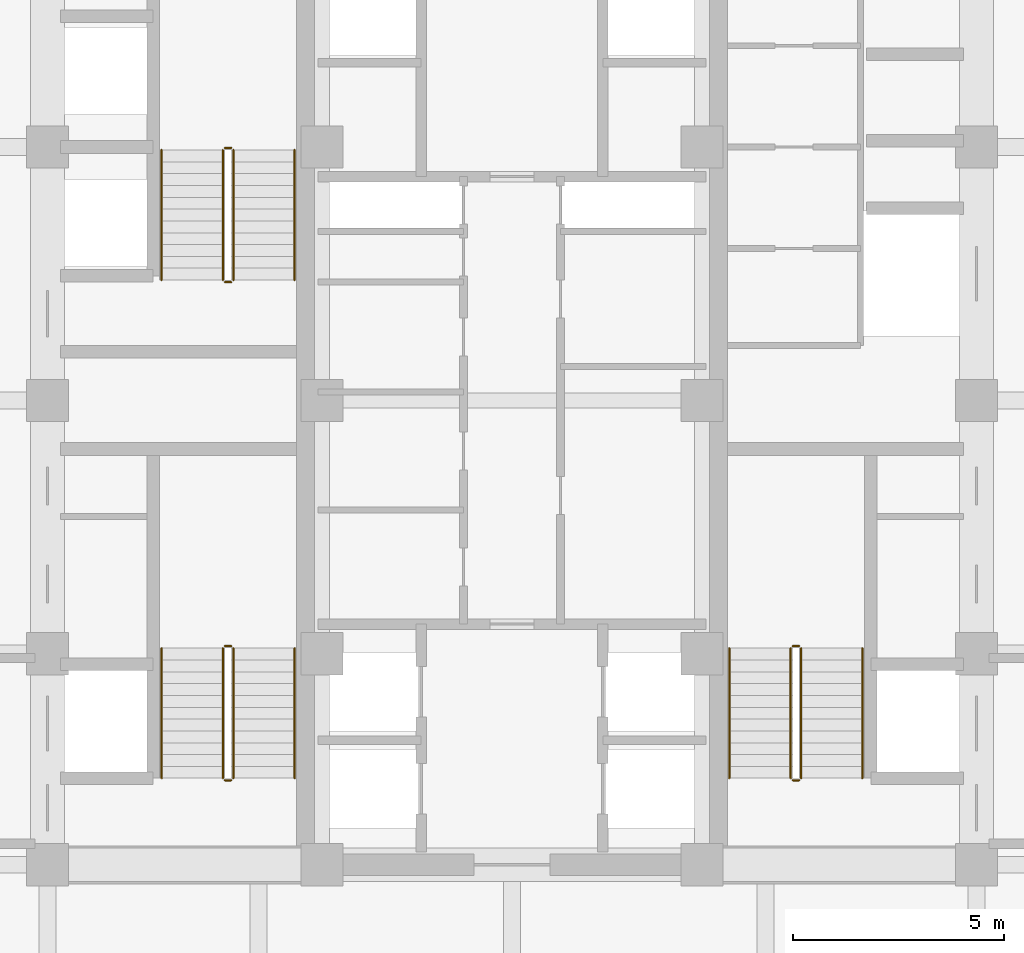
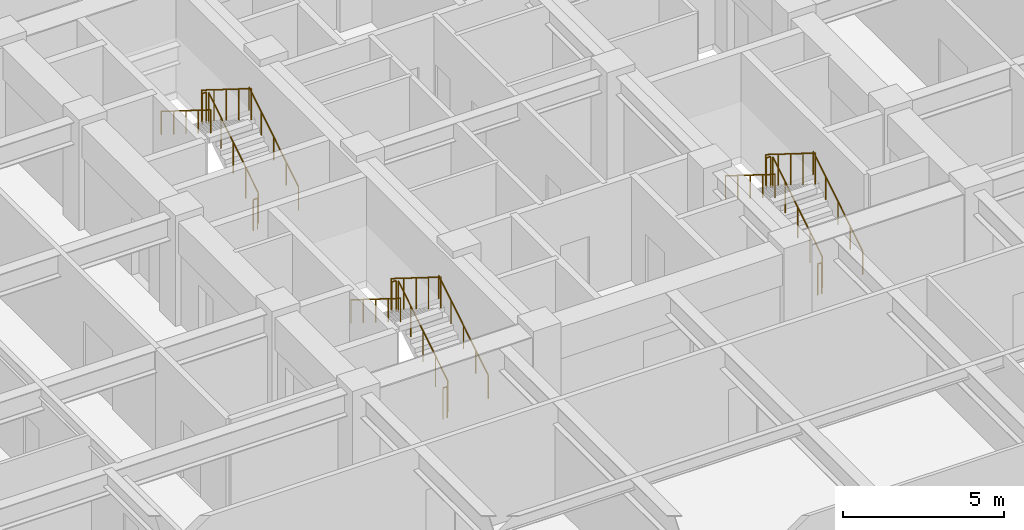
# One storey, part 28 of 28: 18 railings.
"""IFC4 building model written with IfcOpenShell, lengths in metres."""

from ifc_helpers import new_model, si_unit, direction, frame, origin, origin_2d, place, context, subcontext, project, spatial, circle, extrude, source, transform, mapped, material, type_object, element, save


model = new_model("IFC4")

# Units and contexts
model_context = context("Model", 3, precision=1e-05, world=origin(), true_north=direction((0.0, 1.0)))
body_context = subcontext(model_context, "Body", "Model", "MODEL_VIEW")
ifc_project = project(units=[si_unit("LENGTHUNIT", "METRE"), si_unit("AREAUNIT", "SQUARE_METRE"), si_unit("VOLUMEUNIT", "CUBIC_METRE"), si_unit("PLANEANGLEUNIT", "RADIAN"), si_unit("MASSUNIT", "GRAM", prefix="KILO")], contexts=[model_context])

# Site, building, storey
site_placement = place(None, origin())
site = spatial("IfcSite", under=ifc_project, at=site_placement, CompositionType="ELEMENT")
building_placement = place(site_placement, origin())
building = spatial("IfcBuilding", under=site, at=building_placement, Name="Khorayat Bourse Tower", CompositionType="ELEMENT")
storey_placement = place(building_placement, frame((0.0, 0.0, 62.0)))
storey = spatial("IfcBuildingStorey", under=building, at=storey_placement, Name="L13", CompositionType="ELEMENT", Elevation=62.0)

# Railings
ifc_material_1 = material(Name="Powder-coated steel balustrade", Category="steel")
railing_type_1 = type_object("IfcRailingType", Name="RLG-GUARD-1200", PredefinedType="GUARDRAIL", material=ifc_material_1)
shared_shape_1 = source(origin(), body_context, "Body", "SweptSolid", [
    extrude(circle(Radius=0.02392578125, at=origin_2d()), frame((0.0, 0.0, 1.17578125), z_axis=(-1.0, 0.0, 0.0), x_axis=(0.0, -1.0, 0.0)), (0.0, 0.0, 1.0), 0.150146484375),
    extrude(circle(Radius=0.02099609375, at=origin_2d()), origin(), (0.0, 0.0, 1.0), 1.15185546875),
    extrude(circle(Radius=0.02099609375, at=origin_2d()), frame((-0.150146484375, 0.0, 0.0)), (0.0, 0.0, 1.0), 1.15185546875),
])
for number, where, name in (
    (1, (-6.64990234375, -5.820068359375, 2.10009765625), "L13 ST-1 stair guard 2"),
    (2, (-6.64990234375, -9.0, 0.0), "L13 ST-1 stair guard 4"),
    (3, (-6.64990234375, 5.97998046875, 2.10009765625), "L13 ST-2 stair guard 2"),
    (4, (-6.64990234375, 2.800048828125, 0.0), "L13 ST-2 stair guard 4"),
    (5, (6.800048828125, -5.820068359375, 2.10009765625), "L13 ST-3 stair guard 2"),
    (6, (6.800048828125, -9.0, 0.0), "L13 ST-3 stair guard 4"),
):
    element("IfcRailing", number, at=place(storey_placement, frame(where)), inside=storey, type_object=railing_type_1, Name=name, PredefinedType="GUARDRAIL", context=body_context, shape_type="MappedRepresentation", body=[
        mapped(shared_shape_1, transform((0.0, 0.0, 0.0), scale=1.0)),
    ])
shared_shape_2 = source(origin(), body_context, "Body", "SweptSolid", [
    extrude(circle(Radius=0.02392578125, at=origin_2d()), frame((0.0, 0.0, 1.17578125), z_axis=(0.0, 0.847979421464, 0.530029150871), x_axis=(-1.0, 0.0, 0.0)), (0.0, 0.0, 1.0), 3.632080078125),
    extrude(circle(Radius=0.02099609375, at=origin_2d()), origin(), (0.0, 0.0, 1.0), 1.15185546875),
    extrude(circle(Radius=0.02099609375, at=origin_2d()), frame((0.0, 0.77001953125, 0.481201171875)), (0.0, 0.0, 1.0), 1.15185546875),
    extrude(circle(Radius=0.02099609375, at=origin_2d()), frame((0.0, 1.5400390625, 0.96240234375)), (0.0, 0.0, 1.0), 1.15185546875),
    extrude(circle(Radius=0.02099609375, at=origin_2d()), frame((0.0, 2.309814453125, 1.44384765625)), (0.0, 0.0, 1.0), 1.15185546875),
    extrude(circle(Radius=0.02099609375, at=origin_2d()), frame((0.0, 3.079833984375, 1.925048828125)), (0.0, 0.0, 1.0), 1.15185546875),
])
for number, where, name in (
    (7, (-6.60009765625, -8.949951171875, 0.175048828125), "L13 ST-1 stair guard 1"),
    (8, (-6.60009765625, 2.85009765625, 0.175048828125), "L13 ST-2 stair guard 1"),
    (9, (6.85009765625, -8.949951171875, 0.175048828125), "L13 ST-3 stair guard 1"),
):
    element("IfcRailing", number, at=place(storey_placement, frame(where)), inside=storey, type_object=railing_type_1, Name=name, PredefinedType="GUARDRAIL", context=body_context, shape_type="MappedRepresentation", body=[
        mapped(shared_shape_2, transform((0.0, 0.0, 0.0), scale=1.0)),
    ])
shared_shape_3 = source(origin(), body_context, "Body", "SweptSolid", [
    extrude(circle(Radius=0.02392578125, at=origin_2d()), frame((0.0, 0.0, 1.17578125), z_axis=(0.0, -0.847979421464, 0.530029150871), x_axis=(1.0, 0.0, 0.0)), (0.0, 0.0, 1.0), 3.632080078125),
    extrude(circle(Radius=0.02099609375, at=origin_2d()), origin(), (0.0, 0.0, 1.0), 1.15185546875),
    extrude(circle(Radius=0.02099609375, at=origin_2d()), frame((0.0, -0.77001953125, 0.481201171875)), (0.0, 0.0, 1.0), 1.15185546875),
    extrude(circle(Radius=0.02099609375, at=origin_2d()), frame((0.0, -1.5400390625, 0.96240234375)), (0.0, 0.0, 1.0), 1.15185546875),
    extrude(circle(Radius=0.02099609375, at=origin_2d()), frame((0.0, -2.309814453125, 1.44384765625)), (0.0, 0.0, 1.0), 1.15185546875),
    extrude(circle(Radius=0.02099609375, at=origin_2d()), frame((0.0, -3.079833984375, 1.925048828125)), (0.0, 0.0, 1.0), 1.15185546875),
])
for number, where, name in (
    (10, (-6.85009765625, -5.8701171875, 2.27490234375), "L13 ST-1 stair guard 3"),
    (11, (-6.85009765625, 5.929931640625, 2.27490234375), "L13 ST-2 stair guard 3"),
    (12, (6.60009765625, -5.8701171875, 2.27490234375), "L13 ST-3 stair guard 3"),
):
    element("IfcRailing", number, at=place(storey_placement, frame(where)), inside=storey, type_object=railing_type_1, Name=name, PredefinedType="GUARDRAIL", context=body_context, shape_type="MappedRepresentation", body=[
        mapped(shared_shape_3, transform((0.0, 0.0, 0.0), scale=1.0)),
    ])
ifc_material_2 = material(Name="Brushed bronze stainless-steel handrail", Category="steel")
railing_type_2 = type_object("IfcRailingType", Name="RLG-HAND-900", PredefinedType="HANDRAIL", material=ifc_material_2)
shared_shape_4 = source(origin(), body_context, "Body", "SweptSolid", [
    extrude(circle(Radius=0.02392578125, at=origin_2d()), frame((0.0, 0.0, 0.8759765625), z_axis=(0.0, 0.847979421464, 0.530029150871), x_axis=(-1.0, 0.0, 0.0)), (0.0, 0.0, 1.0), 3.632080078125),
    extrude(circle(Radius=0.02099609375, at=origin_2d()), origin(), (0.0, 0.0, 1.0), 0.851806640625),
    extrude(circle(Radius=0.02099609375, at=origin_2d()), frame((0.0, 0.77001953125, 0.481201171875)), (0.0, 0.0, 1.0), 0.851806640625),
    extrude(circle(Radius=0.02099609375, at=origin_2d()), frame((0.0, 1.5400390625, 0.96240234375)), (0.0, 0.0, 1.0), 0.851806640625),
    extrude(circle(Radius=0.02099609375, at=origin_2d()), frame((0.0, 2.309814453125, 1.44384765625)), (0.0, 0.0, 1.0), 0.851806640625),
    extrude(circle(Radius=0.02099609375, at=origin_2d()), frame((0.0, 3.079833984375, 1.925048828125)), (0.0, 0.0, 1.0), 0.851806640625),
])
for number, where, name in (
    (13, (-5.14990234375, -8.949951171875, 0.175048828125), "L13 ST-1 stair handrail 1"),
    (14, (-5.14990234375, 2.85009765625, 0.175048828125), "L13 ST-2 stair handrail 1"),
    (15, (8.300048828125, -8.949951171875, 0.175048828125), "L13 ST-3 stair handrail 1"),
):
    element("IfcRailing", number, at=place(storey_placement, frame(where)), inside=storey, type_object=railing_type_2, Name=name, PredefinedType="HANDRAIL", context=body_context, shape_type="MappedRepresentation", body=[
        mapped(shared_shape_4, transform((0.0, 0.0, 0.0), scale=1.0)),
    ])
shared_shape_5 = source(origin(), body_context, "Body", "SweptSolid", [
    extrude(circle(Radius=0.02392578125, at=origin_2d()), frame((0.0, 0.0, 0.8759765625), z_axis=(0.0, -0.847979421464, 0.530029150871), x_axis=(1.0, 0.0, 0.0)), (0.0, 0.0, 1.0), 3.632080078125),
    extrude(circle(Radius=0.02099609375, at=origin_2d()), origin(), (0.0, 0.0, 1.0), 0.851806640625),
    extrude(circle(Radius=0.02099609375, at=origin_2d()), frame((0.0, -0.77001953125, 0.481201171875)), (0.0, 0.0, 1.0), 0.851806640625),
    extrude(circle(Radius=0.02099609375, at=origin_2d()), frame((0.0, -1.5400390625, 0.96240234375)), (0.0, 0.0, 1.0), 0.851806640625),
    extrude(circle(Radius=0.02099609375, at=origin_2d()), frame((0.0, -2.309814453125, 1.44384765625)), (0.0, 0.0, 1.0), 0.851806640625),
    extrude(circle(Radius=0.02099609375, at=origin_2d()), frame((0.0, -3.079833984375, 1.925048828125)), (0.0, 0.0, 1.0), 0.851806640625),
])
for number, where, name in (
    (16, (-8.300048828125, -5.8701171875, 2.27490234375), "L13 ST-1 stair handrail 2"),
    (17, (-8.300048828125, 5.929931640625, 2.27490234375), "L13 ST-2 stair handrail 2"),
    (18, (5.14990234375, -5.8701171875, 2.27490234375), "L13 ST-3 stair handrail 2"),
):
    element("IfcRailing", number, at=place(storey_placement, frame(where)), inside=storey, type_object=railing_type_2, Name=name, PredefinedType="HANDRAIL", context=body_context, shape_type="MappedRepresentation", body=[
        mapped(shared_shape_5, transform((0.0, 0.0, 0.0), scale=1.0)),
    ])

save(model, "model.ifc")
